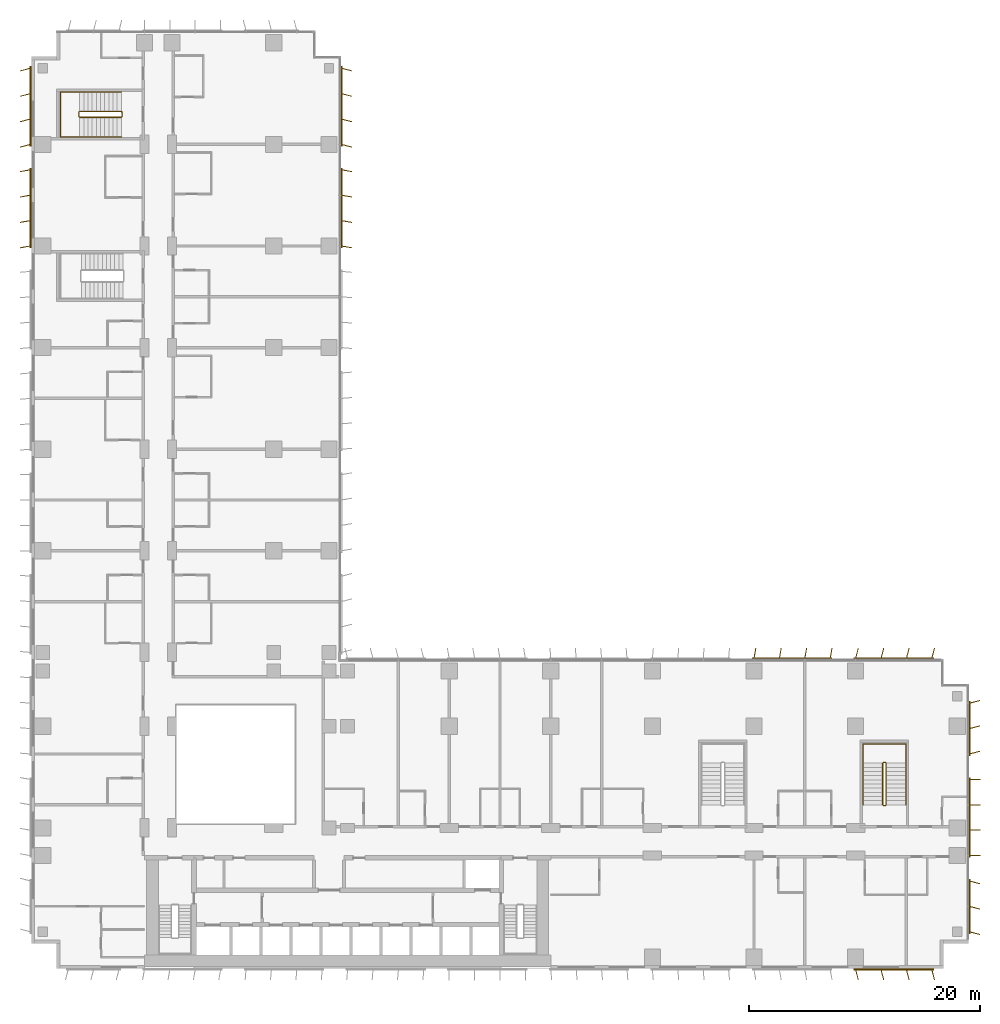
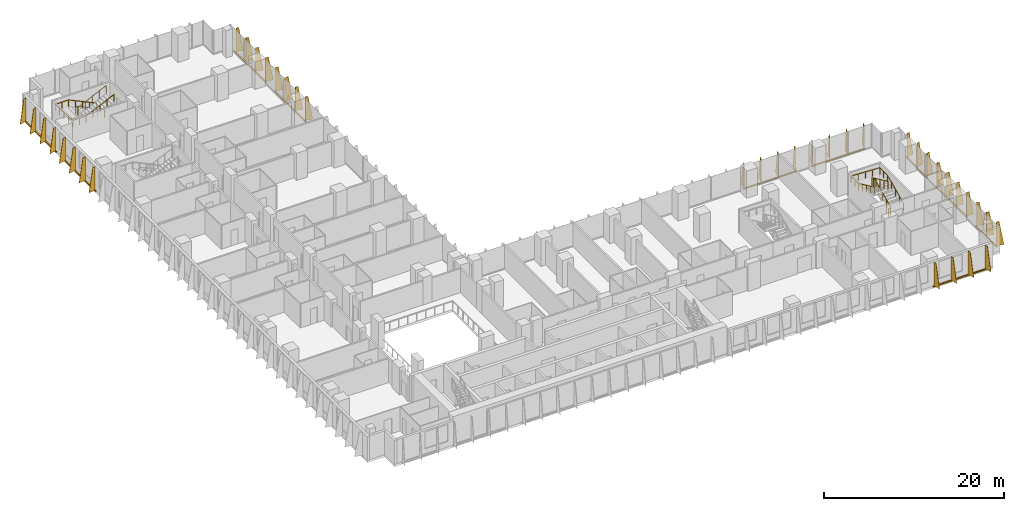
# One storey, part 22 of 23: 10 shading devices, 4 railings.
"""IFC4 building model written with IfcOpenShell, lengths in metres."""

from ifc_helpers import new_model, si_unit, direction, frame, origin, origin_2d, place, context, subcontext, project, spatial, polyline, rectangle, circle, outline, extrude, source, transform, mapped, material, layer, layer_set, type_object, element, save


model = new_model("IFC4")

# Units and contexts
model_context = context("Model", 3, precision=1e-05, world=origin(), true_north=direction((0.0, 1.0)))
body_context = subcontext(model_context, "Body", "Model", "MODEL_VIEW")
ifc_project = project(units=[si_unit("LENGTHUNIT", "METRE"), si_unit("AREAUNIT", "SQUARE_METRE"), si_unit("VOLUMEUNIT", "CUBIC_METRE"), si_unit("PLANEANGLEUNIT", "RADIAN"), si_unit("MASSUNIT", "GRAM", prefix="KILO")], contexts=[model_context])

# Site, building, storey
site_placement = place(None, origin())
site = spatial("IfcSite", under=ifc_project, at=site_placement, CompositionType="ELEMENT")
building_placement = place(site_placement, origin())
building = spatial("IfcBuilding", under=site, at=building_placement, Name="Kemantara Hotel Tower", CompositionType="ELEMENT")
storey_placement = place(building_placement, frame((0.0, 0.0, 67.300048828125)))
storey = spatial("IfcBuildingStorey", under=building, at=storey_placement, Name="L15", CompositionType="ELEMENT", Elevation=67.300048828125)

# Railings
ifc_material_1 = material(Name="Stainless steel balustrade", Category="steel")
railing_type_1 = type_object("IfcRailingType", Name="Stair guard 1100 mm", PredefinedType="GUARDRAIL", material=ifc_material_1)
railing_1_placement = place(storey_placement, frame((73.75, 14.199951171875, 3.699951171875)))
element("IfcRailing", 1, at=railing_1_placement, inside=storey, type_object=railing_type_1, Name="L15 ST5 stair guard 1", PredefinedType="GUARDRAIL", context=body_context, shape_type="SweptSolid", body=[
    extrude(circle(Radius=0.02392578125, at=origin_2d()), frame((0.0, 0.0, 1.076171875), z_axis=(0.0, 0.906005689286, -0.423265508849), x_axis=(-1.0, 0.0, 0.0)), (0.0, 0.0, 1.0), 3.9736328125),
    extrude(circle(Radius=0.02392578125, at=origin_2d()), frame((0.0, 3.60009765625, -0.60595703125), z_axis=(0.274243871929, 0.274243871929, -0.92172696468), x_axis=(-0.707106781187, 0.707106781187, 0.0)), (0.0, 0.0, 1.0), 0.1826171875),
    extrude(circle(Radius=0.02392578125, at=origin_2d()), frame((0.050048828125, 3.650146484375, -0.77392578125), z_axis=(1.0, 0.0, 0.0), x_axis=(0.0, 1.0, 0.0)), (0.0, 0.0, 1.0), 0.199951171875),
    extrude(circle(Radius=0.02392578125, at=origin_2d()), frame((0.25, 3.650146484375, -0.77392578125), z_axis=(0.707106781187, -0.707106781187, 0.0), x_axis=(0.707106781187, 0.707106781187, 0.0)), (0.0, 0.0, 1.0), 0.07080078125),
    extrude(circle(Radius=0.02392578125, at=origin_2d()), frame((0.300048828125, 3.60009765625, -0.77392578125), z_axis=(0.0, -0.906029249863, -0.423215073447), x_axis=(1.0, 0.0, 0.0)), (0.0, 0.0, 1.0), 3.973388671875),
    extrude(circle(Radius=0.02392578125, at=origin_2d()), frame((0.300048828125, 0.0, -2.45556640625), z_axis=(-0.274243871929, -0.274243871929, -0.92172696468), x_axis=(0.707106781187, -0.707106781187, 0.0)), (0.0, 0.0, 1.0), 0.1826171875),
    extrude(circle(Radius=0.02392578125, at=origin_2d()), frame((0.25, -0.050048828125, -2.6240234375), z_axis=(-1.0, 0.0, 0.0), x_axis=(0.0, -1.0, 0.0)), (0.0, 0.0, 1.0), 0.199951171875),
    extrude(circle(Radius=0.02099609375, at=origin_2d()), origin(), (0.0, 0.0, 1.0), 1.052001953125),
    extrude(circle(Radius=0.02099609375, at=origin_2d()), frame((0.0, 0.89990234375, -0.42041015625)), (0.0, 0.0, 1.0), 1.052001953125),
    extrude(circle(Radius=0.02099609375, at=origin_2d()), frame((0.0, 1.800048828125, -0.8408203125)), (0.0, 0.0, 1.0), 1.052001953125),
    extrude(circle(Radius=0.02099609375, at=origin_2d()), frame((0.0, 2.7001953125, -1.261474609375)), (0.0, 0.0, 1.0), 1.052001953125),
    extrude(circle(Radius=0.02099609375, at=origin_2d()), frame((0.0, 3.60009765625, -1.681884765625)), (0.0, 0.0, 1.0), 1.052001953125),
    extrude(circle(Radius=0.02099609375, at=origin_2d()), frame((0.050048828125, 3.650146484375, -1.85009765625)), (0.0, 0.0, 1.0), 1.052001953125),
    extrude(circle(Radius=0.02099609375, at=origin_2d()), frame((0.25, 3.650146484375, -1.85009765625)), (0.0, 0.0, 1.0), 1.052001953125),
    extrude(circle(Radius=0.02099609375, at=origin_2d()), frame((0.300048828125, 3.60009765625, -1.85009765625)), (0.0, 0.0, 1.0), 1.052001953125),
    extrude(circle(Radius=0.02099609375, at=origin_2d()), frame((0.300048828125, 2.7001953125, -2.2705078125)), (0.0, 0.0, 1.0), 1.052001953125),
    extrude(circle(Radius=0.02099609375, at=origin_2d()), frame((0.300048828125, 1.800048828125, -2.69091796875)), (0.0, 0.0, 1.0), 1.052001953125),
    extrude(circle(Radius=0.02099609375, at=origin_2d()), frame((0.300048828125, 0.89990234375, -3.111328125)), (0.0, 0.0, 1.0), 1.052001953125),
    extrude(circle(Radius=0.02099609375, at=origin_2d()), frame((0.300048828125, 0.0, -3.53173828125)), (0.0, 0.0, 1.0), 1.052001953125),
    extrude(circle(Radius=0.02099609375, at=origin_2d()), frame((0.25, -0.050048828125, -3.699951171875)), (0.0, 0.0, 1.0), 1.052001953125),
    extrude(circle(Radius=0.02099609375, at=origin_2d()), frame((0.050048828125, -0.050048828125, -3.699951171875)), (0.0, 0.0, 1.0), 1.052001953125),
])
railing_2_placement = place(storey_placement, frame((7.800048828125, 73.75, 3.699951171875)))
element("IfcRailing", 2, at=railing_2_placement, inside=storey, type_object=railing_type_1, Name="L15 ST6 stair guard 1", PredefinedType="GUARDRAIL", context=body_context, shape_type="SweptSolid", body=[
    extrude(circle(Radius=0.02392578125, at=origin_2d()), frame((0.0, 0.0, 1.076171875), z_axis=(-0.906005689286, 0.0, -0.423265508849), x_axis=(0.0, -1.0, 0.0)), (0.0, 0.0, 1.0), 3.9736328125),
    extrude(circle(Radius=0.02392578125, at=origin_2d()), frame((-3.60009765625, 0.0, -0.60595703125), z_axis=(-0.274243871929, 0.274243871929, -0.92172696468), x_axis=(-0.707106781187, -0.707106781187, 0.0)), (0.0, 0.0, 1.0), 0.1826171875),
    extrude(circle(Radius=0.02392578125, at=origin_2d()), frame((-3.650146484375, 0.050048828125, -0.77392578125), z_axis=(0.0, 1.0, 0.0), x_axis=(-1.0, 0.0, 0.0)), (0.0, 0.0, 1.0), 0.39990234375),
    extrude(circle(Radius=0.02392578125, at=origin_2d()), frame((-3.650146484375, 0.449951171875, -0.77392578125), z_axis=(0.707106781187, 0.707106781187, 0.0), x_axis=(-0.707106781187, 0.707106781187, 0.0)), (0.0, 0.0, 1.0), 0.07080078125),
    extrude(circle(Radius=0.02392578125, at=origin_2d()), frame((-3.60009765625, 0.5, -0.77392578125), z_axis=(0.906029249863, 0.0, -0.423215073447), x_axis=(0.0, 1.0, 0.0)), (0.0, 0.0, 1.0), 3.973388671875),
    extrude(circle(Radius=0.02392578125, at=origin_2d()), frame((0.0, 0.5, -2.45556640625), z_axis=(0.274243871929, -0.274243871929, -0.92172696468), x_axis=(0.707106781187, 0.707106781187, 0.0)), (0.0, 0.0, 1.0), 0.1826171875),
    extrude(circle(Radius=0.02392578125, at=origin_2d()), frame((0.050048828125, 0.449951171875, -2.6240234375), z_axis=(0.0, -1.0, 0.0), x_axis=(1.0, 0.0, 0.0)), (0.0, 0.0, 1.0), 0.39990234375),
    extrude(circle(Radius=0.02099609375, at=origin_2d()), origin(), (0.0, 0.0, 1.0), 1.052001953125),
    extrude(circle(Radius=0.02099609375, at=origin_2d()), frame((-0.89990234375, 0.0, -0.42041015625)), (0.0, 0.0, 1.0), 1.052001953125),
    extrude(circle(Radius=0.02099609375, at=origin_2d()), frame((-1.800048828125, 0.0, -0.8408203125)), (0.0, 0.0, 1.0), 1.052001953125),
    extrude(circle(Radius=0.02099609375, at=origin_2d()), frame((-2.7001953125, 0.0, -1.261474609375)), (0.0, 0.0, 1.0), 1.052001953125),
    extrude(circle(Radius=0.02099609375, at=origin_2d()), frame((-3.60009765625, 0.0, -1.681884765625)), (0.0, 0.0, 1.0), 1.052001953125),
    extrude(circle(Radius=0.02099609375, at=origin_2d()), frame((-3.650146484375, 0.050048828125, -1.85009765625)), (0.0, 0.0, 1.0), 1.052001953125),
    extrude(circle(Radius=0.02099609375, at=origin_2d()), frame((-3.650146484375, 0.449951171875, -1.85009765625)), (0.0, 0.0, 1.0), 1.052001953125),
    extrude(circle(Radius=0.02099609375, at=origin_2d()), frame((-3.60009765625, 0.5, -1.85009765625)), (0.0, 0.0, 1.0), 1.052001953125),
    extrude(circle(Radius=0.02099609375, at=origin_2d()), frame((-2.7001953125, 0.5, -2.2705078125)), (0.0, 0.0, 1.0), 1.052001953125),
    extrude(circle(Radius=0.02099609375, at=origin_2d()), frame((-1.800048828125, 0.5, -2.69091796875)), (0.0, 0.0, 1.0), 1.052001953125),
    extrude(circle(Radius=0.02099609375, at=origin_2d()), frame((-0.89990234375, 0.5, -3.111328125)), (0.0, 0.0, 1.0), 1.052001953125),
    extrude(circle(Radius=0.02099609375, at=origin_2d()), frame((0.0, 0.5, -3.53173828125)), (0.0, 0.0, 1.0), 1.052001953125),
    extrude(circle(Radius=0.02099609375, at=origin_2d()), frame((0.050048828125, 0.449951171875, -3.699951171875)), (0.0, 0.0, 1.0), 1.052001953125),
    extrude(circle(Radius=0.02099609375, at=origin_2d()), frame((0.050048828125, 0.050048828125, -3.699951171875)), (0.0, 0.0, 1.0), 1.052001953125),
])
railing_type_2 = type_object("IfcRailingType", Name="Stair handrail 900 mm", PredefinedType="HANDRAIL", material=ifc_material_1)
railing_3_placement = place(storey_placement, frame((75.75, 14.199951171875, 0.168212890625)))
element("IfcRailing", 3, at=railing_3_placement, inside=storey, type_object=railing_type_2, Name="L15 ST5 stair handrail 1", PredefinedType="HANDRAIL", context=body_context, shape_type="SweptSolid", body=[
    extrude(circle(Radius=0.02392578125, at=origin_2d()), frame((0.0, 0.0, 0.8759765625), z_axis=(0.0, 0.906029249863, 0.423215073447), x_axis=(-1.0, 0.0, 0.0)), (0.0, 0.0, 1.0), 3.973388671875),
    extrude(circle(Radius=0.02392578125, at=origin_2d()), frame((0.0, 3.60009765625, 2.5576171875), z_axis=(0.0, 1.0, 0.0), x_axis=(-1.0, 0.0, 0.0)), (0.0, 0.0, 1.0), 1.679931640625),
    extrude(circle(Radius=0.02392578125, at=origin_2d()), frame((0.0, 5.280029296875, 2.5576171875), z_axis=(-0.998968132438, 0.0, 0.045416631029), x_axis=(0.0, -1.0, 0.0)), (0.0, 0.0, 1.0), 3.703857421875),
    extrude(circle(Radius=0.02392578125, at=origin_2d()), frame((-3.699951171875, 5.280029296875, 2.7255859375), z_axis=(0.0, -1.0, 0.0), x_axis=(1.0, 0.0, 0.0)), (0.0, 0.0, 1.0), 1.679931640625),
    extrude(circle(Radius=0.02392578125, at=origin_2d()), frame((-3.699951171875, 3.60009765625, 2.7255859375), z_axis=(0.0, -0.906005689286, 0.423265508849), x_axis=(1.0, 0.0, 0.0)), (0.0, 0.0, 1.0), 3.9736328125),
    extrude(circle(Radius=0.02099609375, at=origin_2d()), origin(), (0.0, 0.0, 1.0), 0.851806640625),
    extrude(circle(Radius=0.02099609375, at=origin_2d()), frame((0.0, 0.89990234375, 0.42041015625)), (0.0, 0.0, 1.0), 0.851806640625),
    extrude(circle(Radius=0.02099609375, at=origin_2d()), frame((0.0, 1.800048828125, 0.8408203125)), (0.0, 0.0, 1.0), 0.851806640625),
    extrude(circle(Radius=0.02099609375, at=origin_2d()), frame((0.0, 2.7001953125, 1.26123046875)), (0.0, 0.0, 1.0), 0.851806640625),
    extrude(circle(Radius=0.02099609375, at=origin_2d()), frame((0.0, 3.60009765625, 1.681640625)), (0.0, 0.0, 1.0), 0.851806640625),
    extrude(circle(Radius=0.02099609375, at=origin_2d()), frame((0.0, 4.43994140625, 1.681640625)), (0.0, 0.0, 1.0), 0.851806640625),
    extrude(circle(Radius=0.02099609375, at=origin_2d()), frame((0.0, 5.280029296875, 1.681640625)), (0.0, 0.0, 1.0), 0.851806640625),
    extrude(circle(Radius=0.02099609375, at=origin_2d()), frame((-0.925048828125, 5.280029296875, 1.7236328125)), (0.0, 0.0, 1.0), 0.851806640625),
    extrude(circle(Radius=0.02099609375, at=origin_2d()), frame((-1.85009765625, 5.280029296875, 1.765625)), (0.0, 0.0, 1.0), 0.851806640625),
    extrude(circle(Radius=0.02099609375, at=origin_2d()), frame((-2.77490234375, 5.280029296875, 1.807861328125)), (0.0, 0.0, 1.0), 0.851806640625),
    extrude(circle(Radius=0.02099609375, at=origin_2d()), frame((-3.699951171875, 5.280029296875, 1.849853515625)), (0.0, 0.0, 1.0), 0.851806640625),
    extrude(circle(Radius=0.02099609375, at=origin_2d()), frame((-3.699951171875, 4.43994140625, 1.849853515625)), (0.0, 0.0, 1.0), 0.851806640625),
    extrude(circle(Radius=0.02099609375, at=origin_2d()), frame((-3.699951171875, 3.60009765625, 1.849853515625)), (0.0, 0.0, 1.0), 0.851806640625),
    extrude(circle(Radius=0.02099609375, at=origin_2d()), frame((-3.699951171875, 2.7001953125, 2.270263671875)), (0.0, 0.0, 1.0), 0.851806640625),
    extrude(circle(Radius=0.02099609375, at=origin_2d()), frame((-3.699951171875, 1.800048828125, 2.69091796875)), (0.0, 0.0, 1.0), 0.851806640625),
    extrude(circle(Radius=0.02099609375, at=origin_2d()), frame((-3.699951171875, 0.89990234375, 3.111328125)), (0.0, 0.0, 1.0), 0.851806640625),
    extrude(circle(Radius=0.02099609375, at=origin_2d()), frame((-3.699951171875, 0.0, 3.53173828125)), (0.0, 0.0, 1.0), 0.851806640625),
])
railing_4_placement = place(storey_placement, frame((7.800048828125, 75.949951171875, 0.168212890625)))
element("IfcRailing", 4, at=railing_4_placement, inside=storey, type_object=railing_type_2, Name="L15 ST6 stair handrail 1", PredefinedType="HANDRAIL", context=body_context, shape_type="SweptSolid", body=[
    extrude(circle(Radius=0.02392578125, at=origin_2d()), frame((0.0, 0.0, 0.8759765625), z_axis=(-0.906029249863, 0.0, 0.423215073447), x_axis=(0.0, -1.0, 0.0)), (0.0, 0.0, 1.0), 3.973388671875),
    extrude(circle(Radius=0.02392578125, at=origin_2d()), frame((-3.60009765625, 0.0, 2.5576171875), z_axis=(-1.0, 0.0, 0.0), x_axis=(0.0, -1.0, 0.0)), (0.0, 0.0, 1.0), 1.679931640625),
    extrude(circle(Radius=0.02392578125, at=origin_2d()), frame((-5.280029296875, 0.0, 2.5576171875), z_axis=(0.0, -0.999071085748, 0.043092523981), x_axis=(1.0, 0.0, 0.0)), (0.0, 0.0, 1.0), 3.903564453125),
    extrude(circle(Radius=0.02392578125, at=origin_2d()), frame((-5.280029296875, -3.89990234375, 2.7255859375), z_axis=(1.0, 0.0, 0.0), x_axis=(0.0, 1.0, 0.0)), (0.0, 0.0, 1.0), 1.679931640625),
    extrude(circle(Radius=0.02392578125, at=origin_2d()), frame((-3.60009765625, -3.89990234375, 2.7255859375), z_axis=(0.906005689286, 0.0, 0.423265508849), x_axis=(0.0, 1.0, 0.0)), (0.0, 0.0, 1.0), 3.9736328125),
    extrude(circle(Radius=0.02099609375, at=origin_2d()), origin(), (0.0, 0.0, 1.0), 0.851806640625),
    extrude(circle(Radius=0.02099609375, at=origin_2d()), frame((-0.89990234375, 0.0, 0.42041015625)), (0.0, 0.0, 1.0), 0.851806640625),
    extrude(circle(Radius=0.02099609375, at=origin_2d()), frame((-1.800048828125, 0.0, 0.8408203125)), (0.0, 0.0, 1.0), 0.851806640625),
    extrude(circle(Radius=0.02099609375, at=origin_2d()), frame((-2.7001953125, 0.0, 1.26123046875)), (0.0, 0.0, 1.0), 0.851806640625),
    extrude(circle(Radius=0.02099609375, at=origin_2d()), frame((-3.60009765625, 0.0, 1.681640625)), (0.0, 0.0, 1.0), 0.851806640625),
    extrude(circle(Radius=0.02099609375, at=origin_2d()), frame((-4.43994140625, 0.0, 1.681640625)), (0.0, 0.0, 1.0), 0.851806640625),
    extrude(circle(Radius=0.02099609375, at=origin_2d()), frame((-5.280029296875, 0.0, 1.681640625)), (0.0, 0.0, 1.0), 0.851806640625),
    extrude(circle(Radius=0.02099609375, at=origin_2d()), frame((-5.280029296875, -0.97509765625, 1.7236328125)), (0.0, 0.0, 1.0), 0.851806640625),
    extrude(circle(Radius=0.02099609375, at=origin_2d()), frame((-5.280029296875, -1.949951171875, 1.765625)), (0.0, 0.0, 1.0), 0.851806640625),
    extrude(circle(Radius=0.02099609375, at=origin_2d()), frame((-5.280029296875, -2.9248046875, 1.807861328125)), (0.0, 0.0, 1.0), 0.851806640625),
    extrude(circle(Radius=0.02099609375, at=origin_2d()), frame((-5.280029296875, -3.89990234375, 1.849853515625)), (0.0, 0.0, 1.0), 0.851806640625),
    extrude(circle(Radius=0.02099609375, at=origin_2d()), frame((-4.43994140625, -3.89990234375, 1.849853515625)), (0.0, 0.0, 1.0), 0.851806640625),
    extrude(circle(Radius=0.02099609375, at=origin_2d()), frame((-3.60009765625, -3.89990234375, 1.849853515625)), (0.0, 0.0, 1.0), 0.851806640625),
    extrude(circle(Radius=0.02099609375, at=origin_2d()), frame((-2.7001953125, -3.89990234375, 2.270263671875)), (0.0, 0.0, 1.0), 0.851806640625),
    extrude(circle(Radius=0.02099609375, at=origin_2d()), frame((-1.800048828125, -3.89990234375, 2.69091796875)), (0.0, 0.0, 1.0), 0.851806640625),
    extrude(circle(Radius=0.02099609375, at=origin_2d()), frame((-0.89990234375, -3.89990234375, 3.111328125)), (0.0, 0.0, 1.0), 0.851806640625),
    extrude(circle(Radius=0.02099609375, at=origin_2d()), frame((0.0, -3.89990234375, 3.53173828125)), (0.0, 0.0, 1.0), 0.851806640625),
])

# Shading devices
ifc_material_2 = material(Name="Perforated aluminium plate 4 mm bronze anodised", Category="aluminium")
ifc_layer_1 = layer(ifc_material_2, 0.0400390625)
ifc_layer_set_1 = layer_set([ifc_layer_1], Name="Perforated aluminium plate 4 mm bronze anodised")
shading_device_type_1 = type_object("IfcShadingDeviceType", Name="SCREEN FIN CASSETTE, 3 BLADES AT -15.0 DEG, 3200 HIGH", PredefinedType="USERDEFINED", material=ifc_layer_set_1)
shared_shape_1 = source(origin(), body_context, "Body", "SweptSolid", [
    extrude(rectangle(XDim=4.699951171875, YDim=0.14990234375, at=origin_2d()), frame((2.199951171875, -0.074951171875, -0.14990234375), z_axis=(0.0, 0.0, 1.0), x_axis=(1.0, 0.0, 0.0)), (0.0, 0.0, 1.0), 0.14990234375),
    extrude(outline(polyline([(0.0, 0.0), (0.89990234375, 0.0), (0.35009765625, 3.199951171875), (0.0, 3.199951171875), (0.0, 0.0)])), frame((0.019287109375, -0.080078125, 0.0), z_axis=(-0.966437683387, 0.256901156343, 0.0), x_axis=(-0.256901156343, -0.966437683387, 0.0)), (0.0, 0.0, 1.0), 0.039794921875),
    extrude(outline(polyline([(0.0, 0.0), (0.89990234375, 0.0), (0.35009765625, 3.199951171875), (0.0, 3.199951171875), (0.0, 0.0)])), frame((2.21923828125, -0.080078125, 0.0), z_axis=(-0.966437683387, 0.256901156343, 0.0), x_axis=(-0.256901156343, -0.966437683387, 0.0)), (0.0, 0.0, 1.0), 0.039794921875),
    extrude(outline(polyline([(0.0, 0.0), (0.89990234375, 0.0), (0.35009765625, 3.199951171875), (0.0, 3.199951171875), (0.0, 0.0)])), frame((4.41943359375, -0.080078125, 0.0), z_axis=(-0.966837822169, 0.255391122837, 0.0), x_axis=(-0.255391122837, -0.966837822169, 0.0)), (0.0, 0.0, 1.0), 0.0400390625),
])
shading_device_1_placement = place(storey_placement, frame((81.199951171875, 3.199951171875, 0.099853515625), z_axis=(0.0, 0.0, 1.0), x_axis=(0.0, 1.0, 0.0)))
element("IfcShadingDevice", 5, at=shading_device_1_placement, inside=storey, type_object=shading_device_type_1, Name="SCREEN FIN CASSETTE L15 T1-R04-1", ObjectType="SCREEN FIN", PredefinedType="USERDEFINED", context=body_context, shape_type="MappedRepresentation", body=[
    mapped(shared_shape_1, transform((0.0, 0.0, 0.0))),
])
ifc_layer_2 = layer(ifc_material_2, 0.0400390625)
ifc_layer_set_2 = layer_set([ifc_layer_2], Name="Perforated aluminium plate 4 mm bronze anodised")
shading_device_type_2 = type_object("IfcShadingDeviceType", Name="SCREEN FIN CASSETTE, 4 BLADES AT -10.0 DEG, 3200 HIGH", PredefinedType="USERDEFINED", material=ifc_layer_set_2)
shared_shape_2 = source(origin(), body_context, "Body", "SweptSolid", [
    extrude(rectangle(XDim=6.89990234375, YDim=0.14990234375, at=origin_2d()), frame((3.300048828125, -0.074951171875, -0.14990234375), z_axis=(0.0, 0.0, 1.0), x_axis=(1.0, 0.0, 0.0)), (0.0, 0.0, 1.0), 0.14990234375),
    extrude(outline(polyline([(0.0, 0.0), (0.89990234375, 0.0), (0.35009765625, 3.199951171875), (0.0, 3.199951171875), (0.0, 0.0)])), frame((0.019775390625, -0.078369140625, 0.0), z_axis=(-0.985389793052, 0.170314285219, 0.0), x_axis=(-0.170314285219, -0.985389793052, 0.0)), (0.0, 0.0, 1.0), 0.0400390625),
    extrude(outline(polyline([(0.0, 0.0), (0.89990234375, 0.0), (0.35009765625, 3.199951171875), (0.0, 3.199951171875), (0.0, 0.0)])), frame((2.2197265625, -0.078369140625, 0.0), z_axis=(-0.98521175482, 0.171341174751, 0.0), x_axis=(-0.171341174751, -0.98521175482, 0.0)), (0.0, 0.0, 1.0), 0.039794921875),
    extrude(outline(polyline([(0.0, 0.0), (0.89990234375, 0.0), (0.35009765625, 3.199951171875), (0.0, 3.199951171875), (0.0, 0.0)])), frame((4.419677734375, -0.078369140625, 0.0), z_axis=(-0.98521175482, 0.171341174751, 0.0), x_axis=(-0.171341174751, -0.98521175482, 0.0)), (0.0, 0.0, 1.0), 0.039794921875),
    extrude(outline(polyline([(0.0, 0.0), (0.89990234375, 0.0), (0.35009765625, 3.199951171875), (0.0, 3.199951171875), (0.0, 0.0)])), frame((6.61962890625, -0.078369140625, 0.0), z_axis=(-0.98521175482, 0.171341174751, 0.0), x_axis=(-0.171341174751, -0.98521175482, 0.0)), (0.0, 0.0, 1.0), 0.039794921875),
])
for number, where, z_axis, x_axis, name in (
    (6, (69.199951171875, 26.800048828125, 0.099853515625), (0.0, 0.0, 1.0), (-1.0, 0.0, 0.0), "SCREEN FIN CASSETTE L15 T1-R07-2"),
    (7, (26.800048828125, 62.60009765625, 0.099853515625), (0.0, 0.0, 1.0), (0.0, 1.0, 0.0), "SCREEN FIN CASSETTE L15 T1-R08-5"),
):
    element("IfcShadingDevice", number, at=place(storey_placement, frame(where, z_axis=z_axis, x_axis=x_axis)), inside=storey, type_object=shading_device_type_2, Name=name, ObjectType="SCREEN FIN", PredefinedType="USERDEFINED", context=body_context, shape_type="MappedRepresentation", body=[
        mapped(shared_shape_2, transform((0.0, 0.0, 0.0))),
    ])
ifc_layer_3 = layer(ifc_material_2, 0.0400390625)
ifc_layer_set_3 = layer_set([ifc_layer_3], Name="Perforated aluminium plate 4 mm bronze anodised")
shading_device_type_3 = type_object("IfcShadingDeviceType", Name="SCREEN FIN CASSETTE, 4 BLADES AT +0.0 DEG, 3200 HIGH", PredefinedType="USERDEFINED", material=ifc_layer_set_3)
shared_shape_3 = source(origin(), body_context, "Body", "SweptSolid", [
    extrude(rectangle(XDim=6.89990234375, YDim=0.14990234375, at=origin_2d()), frame((3.300048828125, -0.074951171875, -0.14990234375), z_axis=(0.0, 0.0, 1.0), x_axis=(1.0, 0.0, 0.0)), (0.0, 0.0, 1.0), 0.14990234375),
    extrude(outline(polyline([(0.0, 0.0), (0.89990234375, 0.0), (0.35009765625, 3.199951171875), (0.0, 3.199951171875), (0.0, 0.0)])), frame((0.02001953125, -0.074951171875, 0.0), z_axis=(-1.0, 0.0, 0.0), x_axis=(0.0, -1.0, 0.0)), (0.0, 0.0, 1.0), 0.0400390625),
    extrude(outline(polyline([(0.0, 0.0), (0.89990234375, 0.0), (0.35009765625, 3.199951171875), (0.0, 3.199951171875), (0.0, 0.0)])), frame((2.219970703125, -0.074951171875, 0.0), z_axis=(-1.0, 0.0, 0.0), x_axis=(0.0, -1.0, 0.0)), (0.0, 0.0, 1.0), 0.0400390625),
    extrude(outline(polyline([(0.0, 0.0), (0.89990234375, 0.0), (0.35009765625, 3.199951171875), (0.0, 3.199951171875), (0.0, 0.0)])), frame((4.419921875, -0.074951171875, 0.0), z_axis=(-1.0, 0.0, 0.0), x_axis=(0.0, -1.0, 0.0)), (0.0, 0.0, 1.0), 0.0400390625),
    extrude(outline(polyline([(0.0, 0.0), (0.89990234375, 0.0), (0.35009765625, 3.199951171875), (0.0, 3.199951171875), (0.0, 0.0)])), frame((6.6201171875, -0.074951171875, 0.0), z_axis=(-1.0, 0.0, 0.0), x_axis=(0.0, -1.0, 0.0)), (0.0, 0.0, 1.0), 0.0400390625),
])
shading_device_2_placement = place(storey_placement, frame((81.199951171875, 9.800048828125, 0.099853515625), z_axis=(0.0, 0.0, 1.0), x_axis=(0.0, 1.0, 0.0)))
element("IfcShadingDevice", 8, at=shading_device_2_placement, inside=storey, type_object=shading_device_type_3, Name="SCREEN FIN CASSETTE L15 T1-R04-2", ObjectType="SCREEN FIN", PredefinedType="USERDEFINED", context=body_context, shape_type="MappedRepresentation", body=[
    mapped(shared_shape_3, transform((0.0, 0.0, 0.0))),
])
ifc_layer_4 = layer(ifc_material_2, 0.0400390625)
ifc_layer_set_4 = layer_set([ifc_layer_4], Name="Perforated aluminium plate 4 mm bronze anodised")
shading_device_type_4 = type_object("IfcShadingDeviceType", Name="SCREEN FIN CASSETTE, 4 BLADES AT +10.0 DEG, 3200 HIGH", PredefinedType="USERDEFINED", material=ifc_layer_set_4)
shared_shape_4 = source(origin(), body_context, "Body", "SweptSolid", [
    extrude(rectangle(XDim=6.89990234375, YDim=0.14990234375, at=origin_2d()), frame((3.300048828125, -0.074951171875, -0.14990234375), z_axis=(0.0, 0.0, 1.0), x_axis=(1.0, 0.0, 0.0)), (0.0, 0.0, 1.0), 0.14990234375),
    extrude(outline(polyline([(0.0, 0.0), (0.89990234375, 0.0), (0.35009765625, 3.199951171875), (0.0, 3.199951171875), (0.0, 0.0)])), frame((0.019775390625, -0.071533203125, 0.0), z_axis=(-0.985389793052, -0.170314285219, 0.0), x_axis=(0.170314285219, -0.985389793052, 0.0)), (0.0, 0.0, 1.0), 0.0400390625),
    extrude(outline(polyline([(0.0, 0.0), (0.89990234375, 0.0), (0.35009765625, 3.199951171875), (0.0, 3.199951171875), (0.0, 0.0)])), frame((2.2197265625, -0.071533203125, 0.0), z_axis=(-0.98521175482, -0.171341174751, 0.0), x_axis=(0.171341174751, -0.98521175482, 0.0)), (0.0, 0.0, 1.0), 0.039794921875),
    extrude(outline(polyline([(0.0, 0.0), (0.89990234375, 0.0), (0.35009765625, 3.199951171875), (0.0, 3.199951171875), (0.0, 0.0)])), frame((4.419677734375, -0.071533203125, 0.0), z_axis=(-0.98521175482, -0.171341174751, 0.0), x_axis=(0.171341174751, -0.98521175482, 0.0)), (0.0, 0.0, 1.0), 0.039794921875),
    extrude(outline(polyline([(0.0, 0.0), (0.89990234375, 0.0), (0.35009765625, 3.199951171875), (0.0, 3.199951171875), (0.0, 0.0)])), frame((6.61962890625, -0.071533203125, 0.0), z_axis=(-0.98521175482, -0.171341174751, 0.0), x_axis=(0.171341174751, -0.98521175482, 0.0)), (0.0, 0.0, 1.0), 0.039794921875),
])
shading_device_3_placement = place(storey_placement, frame((0.0, 69.199951171875, 0.099853515625), z_axis=(0.0, 0.0, 1.0), x_axis=(0.0, -1.0, 0.0)))
element("IfcShadingDevice", 9, at=shading_device_3_placement, inside=storey, type_object=shading_device_type_4, Name="SCREEN FIN CASSETTE L15 T1-R14-2", ObjectType="SCREEN FIN", PredefinedType="USERDEFINED", context=body_context, shape_type="MappedRepresentation", body=[
    mapped(shared_shape_4, transform((0.0, 0.0, 0.0))),
])
ifc_layer_5 = layer(ifc_material_2, 0.0400390625)
ifc_layer_set_5 = layer_set([ifc_layer_5], Name="Perforated aluminium plate 4 mm bronze anodised")
shading_device_type_5 = type_object("IfcShadingDeviceType", Name="SCREEN FIN CASSETTE, 4 BLADES AT +15.0 DEG, 3200 HIGH", PredefinedType="USERDEFINED", material=ifc_layer_set_5)
shared_shape_5 = source(origin(), body_context, "Body", "SweptSolid", [
    extrude(rectangle(XDim=6.89990234375, YDim=0.14990234375, at=origin_2d()), frame((3.300048828125, -0.074951171875, -0.14990234375), z_axis=(0.0, 0.0, 1.0), x_axis=(1.0, 0.0, 0.0)), (0.0, 0.0, 1.0), 0.14990234375),
    extrude(outline(polyline([(0.0, 0.0), (0.89990234375, 0.0), (0.35009765625, 3.199951171875), (0.0, 3.199951171875), (0.0, 0.0)])), frame((0.019287109375, -0.06982421875, 0.0), z_axis=(-0.966437683387, -0.256901156343, 0.0), x_axis=(0.256901156343, -0.966437683387, 0.0)), (0.0, 0.0, 1.0), 0.039794921875),
    extrude(outline(polyline([(0.0, 0.0), (0.89990234375, 0.0), (0.35009765625, 3.199951171875), (0.0, 3.199951171875), (0.0, 0.0)])), frame((2.21923828125, -0.06982421875, 0.0), z_axis=(-0.966437683387, -0.256901156343, 0.0), x_axis=(0.256901156343, -0.966437683387, 0.0)), (0.0, 0.0, 1.0), 0.039794921875),
    extrude(outline(polyline([(0.0, 0.0), (0.89990234375, 0.0), (0.35009765625, 3.199951171875), (0.0, 3.199951171875), (0.0, 0.0)])), frame((4.41943359375, -0.06982421875, 0.0), z_axis=(-0.966837822169, -0.255391122837, 0.0), x_axis=(0.255391122837, -0.966837822169, 0.0)), (0.0, 0.0, 1.0), 0.0400390625),
    extrude(outline(polyline([(0.0, 0.0), (0.89990234375, 0.0), (0.35009765625, 3.199951171875), (0.0, 3.199951171875), (0.0, 0.0)])), frame((6.619384765625, -0.06982421875, 0.0), z_axis=(-0.966837822169, -0.255391122837, 0.0), x_axis=(0.255391122837, -0.966837822169, 0.0)), (0.0, 0.0, 1.0), 0.0400390625),
])
for number, where, z_axis, x_axis, name in (
    (10, (71.39990234375, 0.0, 0.099853515625), (0.0, 0.0, 1.0), (1.0, 0.0, 0.0), "SCREEN FIN CASSETTE L15 T1-R01-9"),
    (11, (0.0, 78.0, 0.099853515625), (0.0, 0.0, 1.0), (0.0, -1.0, 0.0), "SCREEN FIN CASSETTE L15 T1-R14-1"),
):
    element("IfcShadingDevice", number, at=place(storey_placement, frame(where, z_axis=z_axis, x_axis=x_axis)), inside=storey, type_object=shading_device_type_5, Name=name, ObjectType="SCREEN FIN", PredefinedType="USERDEFINED", context=body_context, shape_type="MappedRepresentation", body=[
        mapped(shared_shape_5, transform((0.0, 0.0, 0.0))),
    ])
ifc_layer_6 = layer(ifc_material_2, 0.0400390625)
ifc_layer_set_6 = layer_set([ifc_layer_6], Name="Perforated aluminium plate 4 mm bronze anodised")
shading_device_type_6 = type_object("IfcShadingDeviceType", Name="SCREEN FIN CASSETTE, 3 BLADES AT +15.0 DEG, 3200 HIGH", PredefinedType="USERDEFINED", material=ifc_layer_set_6)
shared_shape_6 = source(origin(), body_context, "Body", "SweptSolid", [
    extrude(rectangle(XDim=4.699951171875, YDim=0.14990234375, at=origin_2d()), frame((2.199951171875, -0.074951171875, -0.14990234375), z_axis=(0.0, 0.0, 1.0), x_axis=(1.0, 0.0, 0.0)), (0.0, 0.0, 1.0), 0.14990234375),
    extrude(outline(polyline([(0.0, 0.0), (0.89990234375, 0.0), (0.35009765625, 3.199951171875), (0.0, 3.199951171875), (0.0, 0.0)])), frame((0.019287109375, -0.06982421875, 0.0), z_axis=(-0.966437683387, -0.256901156343, 0.0), x_axis=(0.256901156343, -0.966437683387, 0.0)), (0.0, 0.0, 1.0), 0.039794921875),
    extrude(outline(polyline([(0.0, 0.0), (0.89990234375, 0.0), (0.35009765625, 3.199951171875), (0.0, 3.199951171875), (0.0, 0.0)])), frame((2.21923828125, -0.06982421875, 0.0), z_axis=(-0.966437683387, -0.256901156343, 0.0), x_axis=(0.256901156343, -0.966437683387, 0.0)), (0.0, 0.0, 1.0), 0.039794921875),
    extrude(outline(polyline([(0.0, 0.0), (0.89990234375, 0.0), (0.35009765625, 3.199951171875), (0.0, 3.199951171875), (0.0, 0.0)])), frame((4.41943359375, -0.06982421875, 0.0), z_axis=(-0.966837822169, -0.255391122837, 0.0), x_axis=(0.255391122837, -0.966837822169, 0.0)), (0.0, 0.0, 1.0), 0.0400390625),
])
shading_device_4_placement = place(storey_placement, frame((81.199951171875, 18.60009765625, 0.099853515625), z_axis=(0.0, 0.0, 1.0), x_axis=(0.0, 1.0, 0.0)))
element("IfcShadingDevice", 12, at=shading_device_4_placement, inside=storey, type_object=shading_device_type_6, Name="SCREEN FIN CASSETTE L15 T1-R04-3", ObjectType="SCREEN FIN", PredefinedType="USERDEFINED", context=body_context, shape_type="MappedRepresentation", body=[
    mapped(shared_shape_6, transform((0.0, 0.0, 0.0))),
])
ifc_layer_7 = layer(ifc_material_2, 0.0400390625)
ifc_layer_set_7 = layer_set([ifc_layer_7], Name="Perforated aluminium plate 4 mm bronze anodised")
shading_device_type_7 = type_object("IfcShadingDeviceType", Name="SCREEN FIN CASSETTE, 4 BLADES AT -15.0 DEG, 3200 HIGH", PredefinedType="USERDEFINED", material=ifc_layer_set_7)
shared_shape_7 = source(origin(), body_context, "Body", "SweptSolid", [
    extrude(rectangle(XDim=6.89990234375, YDim=0.14990234375, at=origin_2d()), frame((3.300048828125, -0.074951171875, -0.14990234375), z_axis=(0.0, 0.0, 1.0), x_axis=(1.0, 0.0, 0.0)), (0.0, 0.0, 1.0), 0.14990234375),
    extrude(outline(polyline([(0.0, 0.0), (0.89990234375, 0.0), (0.35009765625, 3.199951171875), (0.0, 3.199951171875), (0.0, 0.0)])), frame((0.019287109375, -0.080078125, 0.0), z_axis=(-0.966437683387, 0.256901156343, 0.0), x_axis=(-0.256901156343, -0.966437683387, 0.0)), (0.0, 0.0, 1.0), 0.039794921875),
    extrude(outline(polyline([(0.0, 0.0), (0.89990234375, 0.0), (0.35009765625, 3.199951171875), (0.0, 3.199951171875), (0.0, 0.0)])), frame((2.21923828125, -0.080078125, 0.0), z_axis=(-0.966437683387, 0.256901156343, 0.0), x_axis=(-0.256901156343, -0.966437683387, 0.0)), (0.0, 0.0, 1.0), 0.039794921875),
    extrude(outline(polyline([(0.0, 0.0), (0.89990234375, 0.0), (0.35009765625, 3.199951171875), (0.0, 3.199951171875), (0.0, 0.0)])), frame((4.41943359375, -0.080078125, 0.0), z_axis=(-0.966837822169, 0.255391122837, 0.0), x_axis=(-0.255391122837, -0.966837822169, 0.0)), (0.0, 0.0, 1.0), 0.0400390625),
    extrude(outline(polyline([(0.0, 0.0), (0.89990234375, 0.0), (0.35009765625, 3.199951171875), (0.0, 3.199951171875), (0.0, 0.0)])), frame((6.619384765625, -0.080078125, 0.0), z_axis=(-0.966837822169, 0.255391122837, 0.0), x_axis=(-0.255391122837, -0.966837822169, 0.0)), (0.0, 0.0, 1.0), 0.0400390625),
])
for number, where, z_axis, x_axis, name in (
    (13, (78.0, 26.800048828125, 0.099853515625), (0.0, 0.0, 1.0), (-1.0, 0.0, 0.0), "SCREEN FIN CASSETTE L15 T1-R07-1"),
    (14, (26.800048828125, 71.39990234375, 0.099853515625), (0.0, 0.0, 1.0), (0.0, 1.0, 0.0), "SCREEN FIN CASSETTE L15 T1-R08-6"),
):
    element("IfcShadingDevice", number, at=place(storey_placement, frame(where, z_axis=z_axis, x_axis=x_axis)), inside=storey, type_object=shading_device_type_7, Name=name, ObjectType="SCREEN FIN", PredefinedType="USERDEFINED", context=body_context, shape_type="MappedRepresentation", body=[
        mapped(shared_shape_7, transform((0.0, 0.0, 0.0))),
    ])

save(model, "model.ifc")
